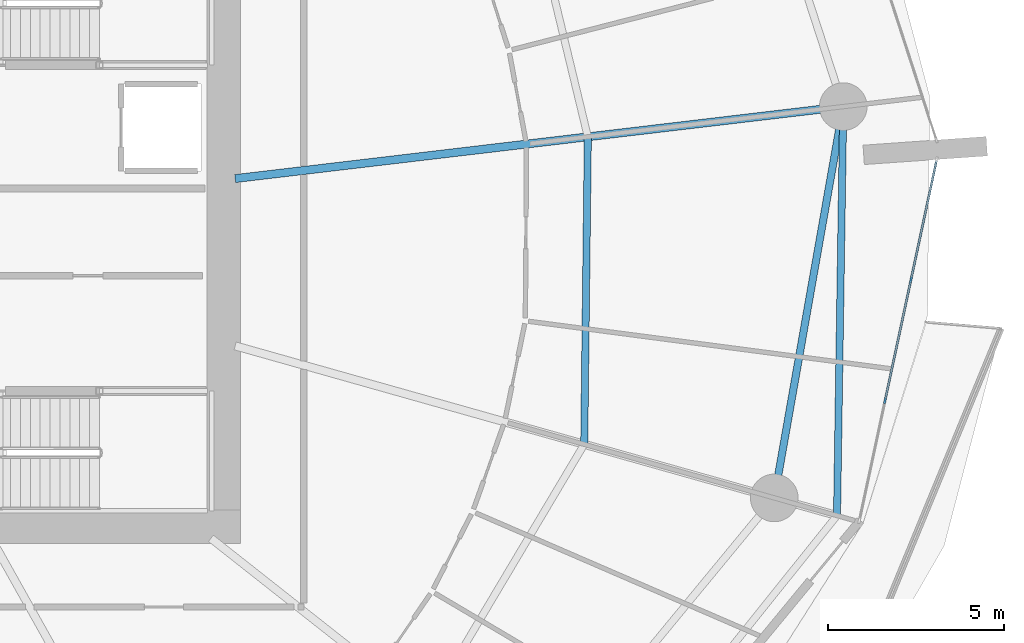
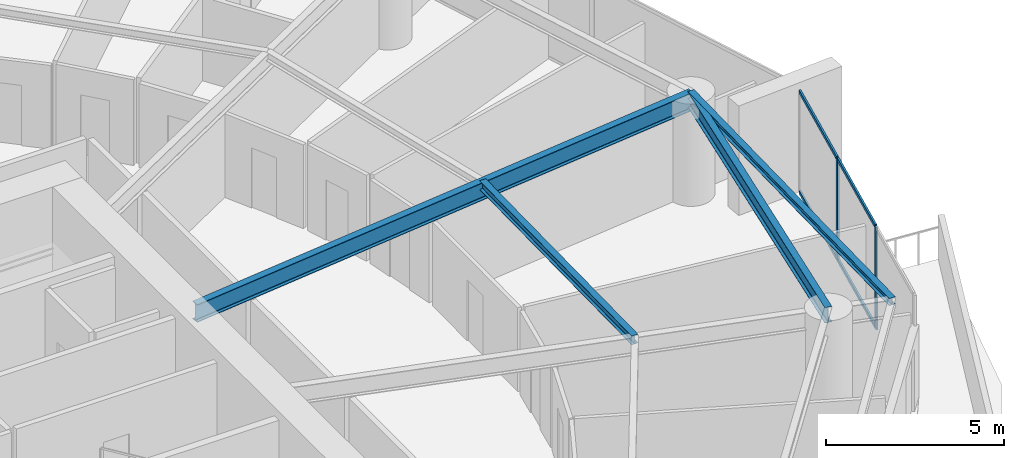
# One storey, part 11 of 31: 6 members, 4 beams, 1 element without a shape of its own.
"""IFC4 building model written with IfcOpenShell, lengths in metres."""

from ifc_helpers import new_model, si_unit, direction, frame, origin, origin_2d, place, context, subcontext, project, spatial, rectangle, i_section, extrude, material, layer, layer_set, material_profile, profile_set, type_object, element, aggregate, save


model = new_model("IFC4")

# Units and contexts
model_context = context("Model", 3, precision=1e-05, world=origin(), true_north=direction((0.0, 1.0)))
body_context = subcontext(model_context, "Body", "Model", "MODEL_VIEW")
ifc_project = project(units=[si_unit("LENGTHUNIT", "METRE"), si_unit("AREAUNIT", "SQUARE_METRE"), si_unit("VOLUMEUNIT", "CUBIC_METRE"), si_unit("PLANEANGLEUNIT", "RADIAN"), si_unit("MASSUNIT", "GRAM", prefix="KILO")], contexts=[model_context])

# Site, building, storey
site_placement = place(None, origin())
site = spatial("IfcSite", under=ifc_project, at=site_placement, CompositionType="ELEMENT")
building_placement = place(site_placement, origin())
building = spatial("IfcBuilding", under=site, at=building_placement, Name="Kazma Halo Residences", CompositionType="ELEMENT")
storey_placement = place(building_placement, frame((0.0, 0.0, 33.89990234375)))
storey = spatial("IfcBuildingStorey", under=building, at=storey_placement, Name="L07", CompositionType="ELEMENT", Elevation=33.89990234375)

# Beams
ifc_material_1 = material(Name="Steel S355", Category="steel")
ifc_material_profile_1 = material_profile(ifc_material_1, i_section(OverallWidth=0.201904296875, OverallDepth=0.2470703125, WebThickness=0.00732421875, FlangeThickness=0.010986328125, FilletRadius=0.011962890625, at=origin_2d()), Name="W250x49.1")
ifc_profile_set_1 = profile_set([ifc_material_profile_1], Name="Steel S355")
beam_type_1 = type_object("IfcBeamType", Name="BM-BAL-CANT", PredefinedType="BEAM", material=ifc_profile_set_1)
beam_1_placement = place(storey_placement, frame((76.92138671875, 33.84326171875, 3.376708984375), z_axis=(0.015213846033, 0.999884262747, 0.0), x_axis=(-0.999884262747, 0.015213846033, 0.0)))
element("IfcBeam", 1, at=beam_1_placement, inside=storey, type_object=beam_type_1, Name="L07 wave-balcony tie beam 15", PredefinedType="BEAM", context=body_context, shape_type="SweptSolid", body=[
    extrude(i_section(OverallWidth=0.201904296875, OverallDepth=0.2470703125, WebThickness=0.00732421875, FlangeThickness=0.010986328125, FilletRadius=0.011962890625, at=origin_2d()), origin(), (0.0, 0.0, 1.0), 11.602294921875),
])
ifc_material_profile_2 = material_profile(ifc_material_1, i_section(OverallWidth=0.22802734375, OverallDepth=0.60791015625, WebThickness=0.01123046875, FlangeThickness=0.017333984375, FilletRadius=0.01806640625, at=origin_2d()), Name="W610x113")
ifc_profile_set_2 = profile_set([ifc_material_profile_2], Name="Steel S355")
beam_type_2 = type_object("IfcBeamType", Name="BM-RAD-W610", PredefinedType="BEAM", material=ifc_profile_set_2)
beam_2_placement = place(storey_placement, frame((59.85009765625, 43.402587890625, 3.196044921875), z_axis=(0.993067839154, 0.117542617111, 0.0), x_axis=(-0.117542617111, 0.993067839154, 0.0)))
element("IfcBeam", 2, at=beam_2_placement, inside=storey, type_object=beam_type_2, Name="L07 radial floor beam 16", PredefinedType="BEAM", context=body_context, shape_type="SweptSolid", body=[
    extrude(i_section(OverallWidth=0.22802734375, OverallDepth=0.60791015625, WebThickness=0.01123046875, FlangeThickness=0.017333984375, FilletRadius=0.01806640625, at=origin_2d()), origin(), (0.0, 0.0, 1.0), 17.3681640625),
])
ifc_material_profile_3 = material_profile(ifc_material_1, i_section(OverallWidth=0.202880859375, OverallDepth=0.302978515625, WebThickness=0.007568359375, FlangeThickness=0.01318359375, FilletRadius=0.013916015625, at=origin_2d()), Name="W310x60")
ifc_profile_set_3 = profile_set([ifc_material_profile_3], Name="Steel S355")
beam_type_3 = type_object("IfcBeamType", Name="BM-SEC-W310A", PredefinedType="JOIST", material=ifc_profile_set_3)
beam_3_placement = place(storey_placement, frame((69.75146484375, 35.865478515625, 3.3486328125), z_axis=(0.011728659646, 0.999931216906, 0.0), x_axis=(-0.999931216906, 0.011728659646, 0.0)))
element("IfcBeam", 3, at=beam_3_placement, inside=storey, type_object=beam_type_3, Name="L07 circumferential floor joist 15", PredefinedType="JOIST", context=body_context, shape_type="SweptSolid", body=[
    extrude(i_section(OverallWidth=0.202880859375, OverallDepth=0.302978515625, WebThickness=0.007568359375, FlangeThickness=0.01318359375, FilletRadius=0.013916015625, at=origin_2d()), origin(), (0.0, 0.0, 1.0), 8.7216796875),
])
ifc_material_profile_4 = material_profile(ifc_material_1, i_section(OverallWidth=0.208984375, OverallDepth=0.532958984375, WebThickness=0.01025390625, FlangeThickness=0.015625, FilletRadius=0.01611328125, at=origin_2d()), Name="W530x92")
ifc_profile_set_4 = profile_set([ifc_material_profile_4], Name="Steel S355")
beam_type_4 = type_object("IfcBeamType", Name="BM-SPN-W530", PredefinedType="BEAM", material=ifc_profile_set_4)
beam_4_placement = place(storey_placement, frame((75.140869140625, 34.345458984375, 3.233642578125), z_axis=(0.173651864005, 0.984807103004, 0.0), x_axis=(-0.984807103004, 0.173651864005, 0.0)))
element("IfcBeam", 4, at=beam_4_placement, inside=storey, type_object=beam_type_4, Name="L07 perimeter ring beam 15", PredefinedType="BEAM", context=body_context, shape_type="SweptSolid", body=[
    extrude(i_section(OverallWidth=0.208984375, OverallDepth=0.532958984375, WebThickness=0.01025390625, FlangeThickness=0.015625, FilletRadius=0.01611328125, at=origin_2d()), origin(), (0.0, 0.0, 1.0), 11.269775390625),
])

# Curtain wall, members
ifc_material_2 = material(Name="Aluminium AW-6063 T6 and Triple-Silver Low-E Glass", Category="aluminium")
ifc_layer = layer(ifc_material_2, 0.159912109375)
ifc_layer_set = layer_set([ifc_layer], Name="Aluminium AW-6063 T6 and Triple-Silver Low-E Glass")
curtain_wall_type = type_object("IfcCurtainWallType", Name="CW-SYS-2", PredefinedType="NOTDEFINED", material=ifc_layer_set)
curtain_wall_placement = place(storey_placement, origin())
curtain_wall = element("IfcCurtainWall", 5, at=curtain_wall_placement, inside=storey, type_object=curtain_wall_type, Name="L07 unitised curtain wall B15", PredefinedType="NOTDEFINED")
ifc_material_3 = material(Name="Aluminium AW-6063 T6", Category="aluminium")
ifc_material_profile_5 = material_profile(ifc_material_3, rectangle(XDim=0.06005859375, YDim=0.159912109375, at=origin_2d()), Name="CWM-60x160")
ifc_profile_set_5 = profile_set([ifc_material_profile_5], Name="Aluminium AW-6063 T6")
member_type_1 = type_object("IfcMemberType", Name="CW-SYS-2-MUL", PredefinedType="MULLION", material=ifc_profile_set_5)
member_1_placement = place(storey_placement, frame((78.282958984375, 37.101318359375, 0.0), z_axis=(0.0, 0.0, 1.0), x_axis=(-0.977779215096, 0.209637321406, 0.0)))
member_1 = element("IfcMember", 6, at=member_1_placement, type_object=member_type_1, Name="CWS-2 mullion 2", PredefinedType="MULLION", context=body_context, shape_type="SweptSolid", body=[
    extrude(rectangle(XDim=0.06005859375, YDim=0.159912109375, at=origin_2d()), origin(), (0.0, 0.0, 1.0), 3.5),
])
member_2_placement = place(storey_placement, frame((79.019287109375, 40.53564453125, 0.0), z_axis=(0.0, 0.0, 1.0), x_axis=(-0.977779215096, 0.209637321406, 0.0)))
member_2 = element("IfcMember", 7, at=member_2_placement, type_object=member_type_1, Name="CWS-2 mullion 3", PredefinedType="MULLION", context=body_context, shape_type="SweptSolid", body=[
    extrude(rectangle(XDim=0.06005859375, YDim=0.159912109375, at=origin_2d()), origin(), (0.0, 0.0, 1.0), 3.5),
])
ifc_material_profile_6 = material_profile(ifc_material_3, rectangle(XDim=0.06005859375, YDim=0.1201171875, at=origin_2d()), Name="CWT-60x120")
ifc_profile_set_6 = profile_set([ifc_material_profile_6], Name="Aluminium AW-6063 T6")
member_type_2 = type_object("IfcMemberType", Name="CW-SYS-2-TRN", PredefinedType="USERDEFINED", material=ifc_profile_set_6)
member_3_placement = place(storey_placement, frame((78.289306640625, 37.130615234375, 0.030029296875), z_axis=(0.209669136217, 0.977772393412, 0.0), x_axis=(-0.977772393412, 0.209669136217, 0.0)))
member_3 = element("IfcMember", 8, at=member_3_placement, type_object=member_type_2, Name="CWS-2 transom 2.1", ObjectType="TRANSOM", PredefinedType="USERDEFINED", context=body_context, shape_type="SweptSolid", body=[
    extrude(rectangle(XDim=0.06005859375, YDim=0.1201171875, at=origin_2d()), origin(), (0.0, 0.0, 1.0), 3.452392578125),
])
member_4_placement = place(storey_placement, frame((78.289306640625, 37.130615234375, 3.47021484375), z_axis=(0.209669136217, 0.977772393412, 0.0), x_axis=(-0.977772393412, 0.209669136217, 0.0)))
member_4 = element("IfcMember", 9, at=member_4_placement, type_object=member_type_2, Name="CWS-2 transom 2.2", ObjectType="TRANSOM", PredefinedType="USERDEFINED", context=body_context, shape_type="SweptSolid", body=[
    extrude(rectangle(XDim=0.06005859375, YDim=0.1201171875, at=origin_2d()), origin(), (0.0, 0.0, 1.0), 3.452392578125),
])
member_5_placement = place(storey_placement, frame((79.025634765625, 40.565185546875, 0.030029296875), z_axis=(0.209665500897, 0.977773172946, 0.0), x_axis=(-0.977773172946, 0.209665500897, 0.0)))
member_5 = element("IfcMember", 10, at=member_5_placement, type_object=member_type_2, Name="CWS-2 transom 3.1", ObjectType="TRANSOM", PredefinedType="USERDEFINED", context=body_context, shape_type="SweptSolid", body=[
    extrude(rectangle(XDim=0.06005859375, YDim=0.1201171875, at=origin_2d()), origin(), (0.0, 0.0, 1.0), 3.42236328125),
])
member_6_placement = place(storey_placement, frame((79.025634765625, 40.565185546875, 3.47021484375), z_axis=(0.209665500897, 0.977773172946, 0.0), x_axis=(-0.977773172946, 0.209665500897, 0.0)))
member_6 = element("IfcMember", 11, at=member_6_placement, type_object=member_type_2, Name="CWS-2 transom 3.2", ObjectType="TRANSOM", PredefinedType="USERDEFINED", context=body_context, shape_type="SweptSolid", body=[
    extrude(rectangle(XDim=0.06005859375, YDim=0.1201171875, at=origin_2d()), origin(), (0.0, 0.0, 1.0), 3.42236328125),
])
aggregate(curtain_wall, [member_1, member_2, member_3, member_4, member_5, member_6])

save(model, "model.ifc")
